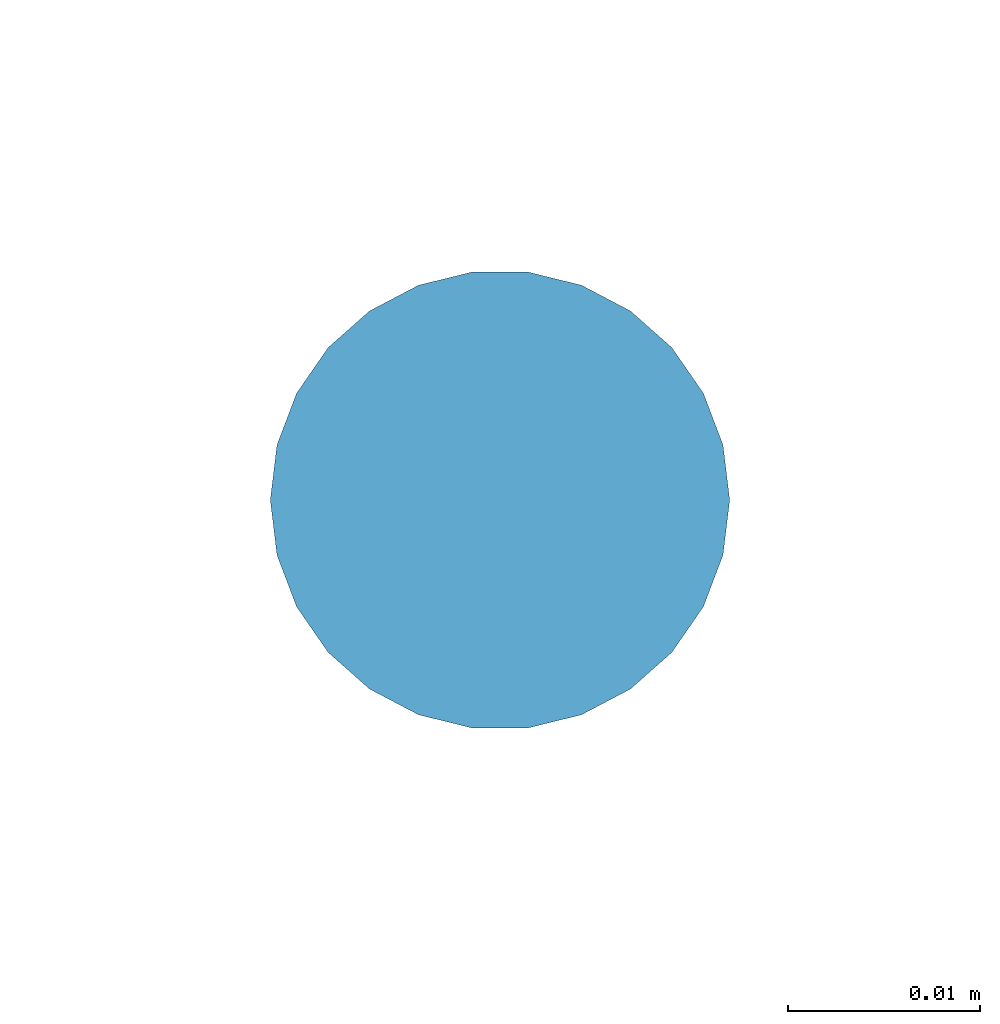
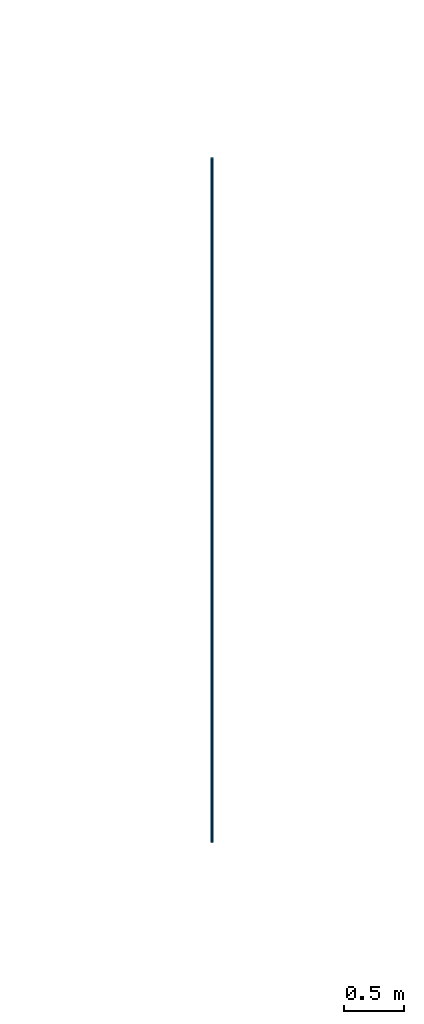
# One storey, part 18 of 62: 1 member.
"""IFC4 building model written with IfcOpenShell, lengths in metres."""

from ifc_helpers import new_model, si_unit, direction, frame, origin, origin_2d, place, context, subcontext, project, spatial, circle, extrude, material, material_profile, profile_set, type_object, element, save


model = new_model("IFC4")

# Units and contexts
model_context = context("Model", 3, precision=1e-05, world=origin(), true_north=direction((0.0, 1.0)))
body_context = subcontext(model_context, "Body", "Model", "MODEL_VIEW")
ifc_project = project(units=[si_unit("LENGTHUNIT", "METRE"), si_unit("AREAUNIT", "SQUARE_METRE"), si_unit("VOLUMEUNIT", "CUBIC_METRE"), si_unit("PLANEANGLEUNIT", "RADIAN"), si_unit("MASSUNIT", "GRAM", prefix="KILO")], contexts=[model_context])

# Site, building, storey
site_placement = place(None, origin())
site = spatial("IfcSite", under=ifc_project, at=site_placement, CompositionType="ELEMENT")
building_placement = place(site_placement, origin())
building = spatial("IfcBuilding", under=site, at=building_placement, Name="Hortulan Conservatory and Botanical Research Centre", CompositionType="ELEMENT")
storey_placement = place(building_placement, frame((0.0, 0.0, 15.0)))
storey = spatial("IfcBuildingStorey", under=building, at=storey_placement, Name="L03", CompositionType="ELEMENT", Elevation=15.0)

# Member
ifc_material = material(Name="Steel Grade 300PLUS (AS/NZS 3679.1, 280 MPa minimum yield)", Category="steel")
ifc_material_profile = material_profile(ifc_material, circle(Radius=0.011962890625, at=origin_2d()), Name="24 dia rod")
ifc_profile_set = profile_set([ifc_material_profile], Name="Steel Grade 300PLUS (AS/NZS 3679.1, 280 MPa minimum yield)")
member_type = type_object("IfcMemberType", Name="Vault Hanger 24 dia rod", PredefinedType="POST", material=ifc_profile_set)
member_placement = place(storey_placement, frame((99.0, 54.0, -1.0), z_axis=(0.0, 0.0, 1.0), x_axis=(1.0, 0.0, 0.0)))
element("IfcMember", 1, at=member_placement, inside=storey, type_object=member_type, Name="Vault hanger 3", PredefinedType="POST", context=body_context, shape_type="SweptSolid", body=[
    extrude(circle(Radius=0.011962890625, at=origin_2d()), origin(), (0.0, 0.0, 1.0), 7.0),
])

save(model, "model.ifc")
